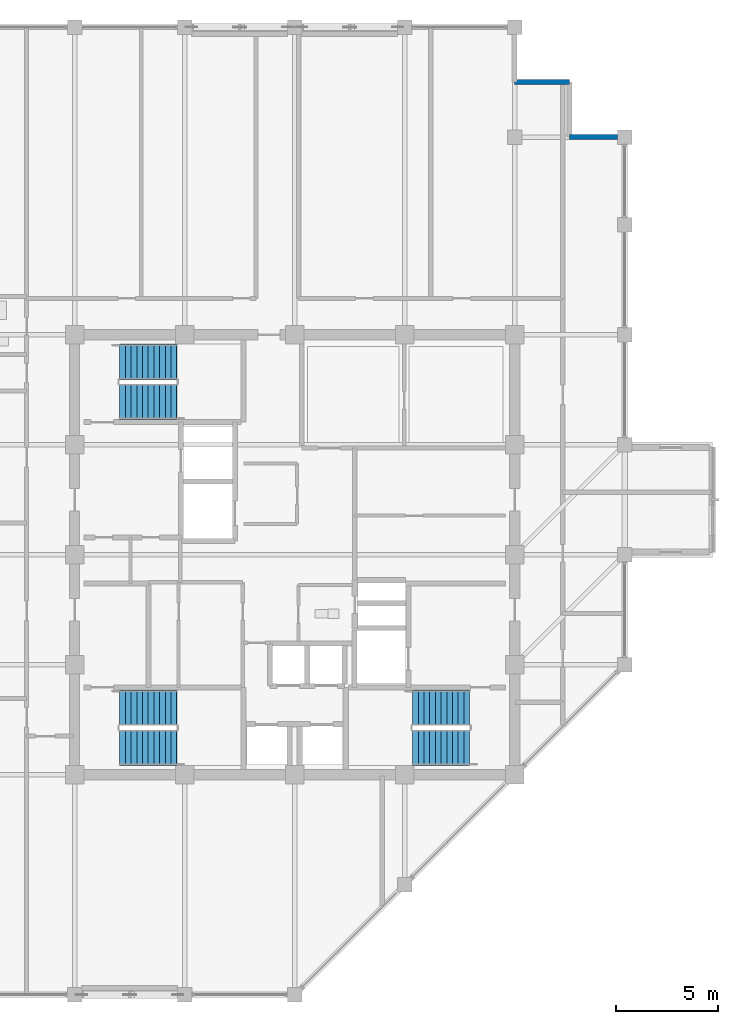
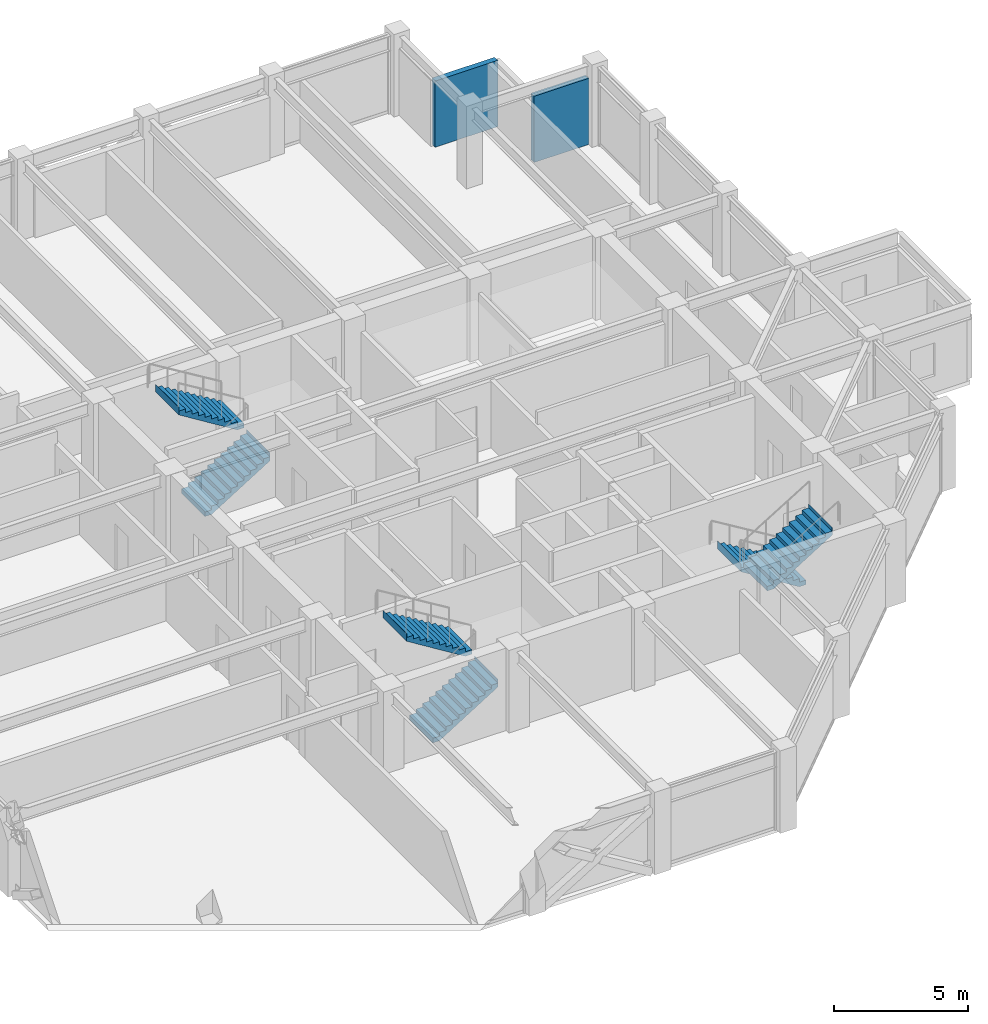
# One storey, part 27 of 30: 6 stair flights, 2 walls, 3 elements without a shape of their own.
"""IFC4 building model written with IfcOpenShell, lengths in metres."""

from ifc_helpers import new_model, si_unit, direction, frame, frame_2d, origin, place, context, subcontext, project, spatial, polyline, rectangle, outline, extrude, material, layer, layer_set, type_object, element, aggregate, save


model = new_model("IFC4")

# Units and contexts
model_context = context("Model", 3, precision=1e-05, world=origin(), true_north=direction((0.0, 1.0)))
body_context = subcontext(model_context, "Body", "Model", "MODEL_VIEW")
ifc_project = project(units=[si_unit("LENGTHUNIT", "METRE"), si_unit("AREAUNIT", "SQUARE_METRE"), si_unit("VOLUMEUNIT", "CUBIC_METRE"), si_unit("PLANEANGLEUNIT", "RADIAN"), si_unit("MASSUNIT", "GRAM", prefix="KILO")], contexts=[model_context])

# Site, building, storey
site_placement = place(None, origin())
site = spatial("IfcSite", under=ifc_project, at=site_placement, CompositionType="ELEMENT")
building_placement = place(site_placement, origin())
building = spatial("IfcBuilding", under=site, at=building_placement, Name="Surkhivell Harbour Commons", CompositionType="ELEMENT")
storey_placement = place(building_placement, frame((0.0, 0.0, 303.75)))
storey = spatial("IfcBuildingStorey", under=building, at=storey_placement, Name="L79", CompositionType="ELEMENT", Elevation=303.75)

# Walls
ifc_material_1 = material(Name="Bronze-ochre cassette precast concrete C45/55", Category="concrete")
ifc_layer = layer(ifc_material_1, 0.239990234375)
ifc_layer_set = layer_set([ifc_layer], Name="Bronze-ochre cassette precast concrete C45/55")
wall_type = type_object("IfcWallType", Name="WAL-EXT-OCH240", PredefinedType="STANDARD", material=ifc_layer_set)
wall_1_placement = place(storey_placement, frame((15.85205078125, 20.5, 0.0), z_axis=(0.0, 0.0, 1.0), x_axis=(-1.0, 0.0, 0.0)))
element("IfcWall", 1, at=wall_1_placement, inside=storey, type_object=wall_type, Name="L79 Serrated Corner Facade Wall 03", PredefinedType="STANDARD", context=body_context, shape_type="SweptSolid", body=[
    extrude(rectangle(XDim=2.35205078125, YDim=0.239990234375, at=frame_2d((1.176025390625, 0.0))), origin(), (0.0, 0.0, 1.0), 3.012939453125),
])
wall_2_placement = place(storey_placement, frame((13.5, 23.199951171875, 0.0), z_axis=(0.0, 0.0, 1.0), x_axis=(-1.0, 0.0, 0.0)))
element("IfcWall", 2, at=wall_2_placement, inside=storey, type_object=wall_type, Name="L79 Serrated Corner Facade Wall 05", PredefinedType="STANDARD", context=body_context, shape_type="SweptSolid", body=[
    extrude(rectangle(XDim=2.699951171875, YDim=0.239990234375, at=frame_2d((1.35009765625, 0.0))), origin(), (0.0, 0.0, 1.0), 3.012939453125),
])

# Stair, stair flights
ifc_material_2 = material(Name="Precast concrete C45/55", Category="concrete")
stair_type = type_object("IfcStairType", Name="STR-DL-375", PredefinedType="HALF_TURN_STAIR", material=ifc_material_2)
stair_1_placement = place(storey_placement, origin())
stair_1 = element("IfcStair", 3, at=stair_1_placement, inside=storey, type_object=stair_type, Name="L79 Core Exit Stair ST1", PredefinedType="HALF_TURN_STAIR")
stair_flight_type = type_object("IfcStairFlightType", Name="STF-DL-375", PredefinedType="STRAIGHT", material=ifc_material_2)
stair_flight_1_placement = place(storey_placement, frame((-8.590087890625, 7.514892578125, 0.0), z_axis=(0.0, 0.0, 1.0), x_axis=(1.0, 0.0, 0.0)))
stair_flight_1 = element("IfcStairFlight", 4, at=stair_flight_1_placement, type_object=stair_flight_type, Name="ST1 flight 1", NumberOfRisers=11, NumberOfTreads=10, PredefinedType="STRAIGHT", RiserHeight=0.170454545, TreadLength=0.28, context=body_context, shape_type="SweptSolid", body=[
    extrude(outline(polyline([(-0.0029296875, -0.034912109375), (-0.0029296875, 0.0), (0.0, 0.0), (0.0, 0.17041015625), (0.280029296875, 0.17041015625), (0.280029296875, 0.3408203125), (0.56005859375, 0.3408203125), (0.56005859375, 0.511474609375), (0.840087890625, 0.511474609375), (0.840087890625, 0.681884765625), (1.1201171875, 0.681884765625), (1.1201171875, 0.852294921875), (1.39990234375, 0.852294921875), (1.39990234375, 1.022705078125), (1.679931640625, 1.022705078125), (1.679931640625, 1.193115234375), (1.9599609375, 1.193115234375), (1.9599609375, 1.363525390625), (2.239990234375, 1.363525390625), (2.239990234375, 1.5341796875), (2.52001953125, 1.5341796875), (2.52001953125, 1.70458984375), (2.800048828125, 1.70458984375), (2.800048828125, 1.875), (2.802978515625, 1.875), (2.802978515625, 1.529052734375), (0.288330078125, -0.034912109375), (-0.0029296875, -0.034912109375)])), frame((0.0, 0.875, 0.0), z_axis=(0.0, -1.0, 0.0), x_axis=(1.0, 0.0, 0.0)), (0.0, 0.0, 1.0), 1.75),
])
stair_flight_2_placement = place(storey_placement, frame((-5.7900390625, 9.465087890625, 1.875), z_axis=(0.0, 0.0, 1.0), x_axis=(-1.0, 0.0, 0.0)))
stair_flight_2 = element("IfcStairFlight", 5, at=stair_flight_2_placement, type_object=stair_flight_type, Name="ST1 flight 2", NumberOfRisers=11, NumberOfTreads=10, PredefinedType="STRAIGHT", RiserHeight=0.170454545, TreadLength=0.28, context=body_context, shape_type="SweptSolid", body=[
    extrude(outline(polyline([(-0.0029296875, -0.034912109375), (-0.0029296875, 0.0), (0.0, 0.0), (0.0, 0.17041015625), (0.280029296875, 0.17041015625), (0.280029296875, 0.3408203125), (0.56005859375, 0.3408203125), (0.56005859375, 0.511474609375), (0.840087890625, 0.511474609375), (0.840087890625, 0.681884765625), (1.1201171875, 0.681884765625), (1.1201171875, 0.852294921875), (1.39990234375, 0.852294921875), (1.39990234375, 1.022705078125), (1.679931640625, 1.022705078125), (1.679931640625, 1.193115234375), (1.9599609375, 1.193115234375), (1.9599609375, 1.363525390625), (2.239990234375, 1.363525390625), (2.239990234375, 1.5341796875), (2.52001953125, 1.5341796875), (2.52001953125, 1.70458984375), (2.800048828125, 1.70458984375), (2.800048828125, 1.875), (2.802978515625, 1.875), (2.802978515625, 1.529052734375), (0.288330078125, -0.034912109375), (-0.0029296875, -0.034912109375)])), frame((0.0, 0.875, 0.0), z_axis=(0.0, -1.0, 0.0), x_axis=(1.0, 0.0, 0.0)), (0.0, 0.0, 1.0), 1.75),
])
aggregate(stair_1, [stair_flight_1, stair_flight_2])

stair_2_placement = place(storey_placement, origin())
stair_2 = element("IfcStair", 6, at=stair_2_placement, inside=storey, type_object=stair_type, Name="L79 Core Exit Stair ST2", PredefinedType="HALF_TURN_STAIR")
stair_flight_3_placement = place(storey_placement, frame((8.590087890625, -7.514892578125, 0.0), z_axis=(0.0, 0.0, 1.0), x_axis=(-1.0, 0.0, 0.0)))
stair_flight_3 = element("IfcStairFlight", 7, at=stair_flight_3_placement, type_object=stair_flight_type, Name="ST2 flight 1", NumberOfRisers=11, NumberOfTreads=10, PredefinedType="STRAIGHT", RiserHeight=0.170454545, TreadLength=0.28, context=body_context, shape_type="SweptSolid", body=[
    extrude(outline(polyline([(-0.0029296875, -0.034912109375), (-0.0029296875, 0.0), (0.0, 0.0), (0.0, 0.17041015625), (0.280029296875, 0.17041015625), (0.280029296875, 0.3408203125), (0.56005859375, 0.3408203125), (0.56005859375, 0.511474609375), (0.840087890625, 0.511474609375), (0.840087890625, 0.681884765625), (1.1201171875, 0.681884765625), (1.1201171875, 0.852294921875), (1.39990234375, 0.852294921875), (1.39990234375, 1.022705078125), (1.679931640625, 1.022705078125), (1.679931640625, 1.193115234375), (1.9599609375, 1.193115234375), (1.9599609375, 1.363525390625), (2.239990234375, 1.363525390625), (2.239990234375, 1.5341796875), (2.52001953125, 1.5341796875), (2.52001953125, 1.70458984375), (2.800048828125, 1.70458984375), (2.800048828125, 1.875), (2.802978515625, 1.875), (2.802978515625, 1.529052734375), (0.288330078125, -0.034912109375), (-0.0029296875, -0.034912109375)])), frame((0.0, 0.875, 0.0), z_axis=(0.0, -1.0, 0.0), x_axis=(1.0, 0.0, 0.0)), (0.0, 0.0, 1.0), 1.75),
])
stair_flight_4_placement = place(storey_placement, frame((5.7900390625, -9.465087890625, 1.875), z_axis=(0.0, 0.0, 1.0), x_axis=(1.0, 0.0, 0.0)))
stair_flight_4 = element("IfcStairFlight", 8, at=stair_flight_4_placement, type_object=stair_flight_type, Name="ST2 flight 2", NumberOfRisers=11, NumberOfTreads=10, PredefinedType="STRAIGHT", RiserHeight=0.170454545, TreadLength=0.28, context=body_context, shape_type="SweptSolid", body=[
    extrude(outline(polyline([(-0.0029296875, -0.034912109375), (-0.0029296875, 0.0), (0.0, 0.0), (0.0, 0.17041015625), (0.280029296875, 0.17041015625), (0.280029296875, 0.3408203125), (0.56005859375, 0.3408203125), (0.56005859375, 0.511474609375), (0.840087890625, 0.511474609375), (0.840087890625, 0.681884765625), (1.1201171875, 0.681884765625), (1.1201171875, 0.852294921875), (1.39990234375, 0.852294921875), (1.39990234375, 1.022705078125), (1.679931640625, 1.022705078125), (1.679931640625, 1.193115234375), (1.9599609375, 1.193115234375), (1.9599609375, 1.363525390625), (2.239990234375, 1.363525390625), (2.239990234375, 1.5341796875), (2.52001953125, 1.5341796875), (2.52001953125, 1.70458984375), (2.800048828125, 1.70458984375), (2.800048828125, 1.875), (2.802978515625, 1.875), (2.802978515625, 1.529052734375), (0.288330078125, -0.034912109375), (-0.0029296875, -0.034912109375)])), frame((0.0, 0.875, 0.0), z_axis=(0.0, -1.0, 0.0), x_axis=(1.0, 0.0, 0.0)), (0.0, 0.0, 1.0), 1.75),
])
aggregate(stair_2, [stair_flight_3, stair_flight_4])

stair_3_placement = place(storey_placement, origin())
stair_3 = element("IfcStair", 9, at=stair_3_placement, inside=storey, type_object=stair_type, Name="L79 Core Exit Stair ST3", PredefinedType="HALF_TURN_STAIR")
stair_flight_5_placement = place(storey_placement, frame((-8.590087890625, -9.465087890625, 0.0), z_axis=(0.0, 0.0, 1.0), x_axis=(1.0, 0.0, 0.0)))
stair_flight_5 = element("IfcStairFlight", 10, at=stair_flight_5_placement, type_object=stair_flight_type, Name="ST3 flight 1", NumberOfRisers=11, NumberOfTreads=10, PredefinedType="STRAIGHT", RiserHeight=0.170454545, TreadLength=0.28, context=body_context, shape_type="SweptSolid", body=[
    extrude(outline(polyline([(-0.0029296875, -0.034912109375), (-0.0029296875, 0.0), (0.0, 0.0), (0.0, 0.17041015625), (0.280029296875, 0.17041015625), (0.280029296875, 0.3408203125), (0.56005859375, 0.3408203125), (0.56005859375, 0.511474609375), (0.840087890625, 0.511474609375), (0.840087890625, 0.681884765625), (1.1201171875, 0.681884765625), (1.1201171875, 0.852294921875), (1.39990234375, 0.852294921875), (1.39990234375, 1.022705078125), (1.679931640625, 1.022705078125), (1.679931640625, 1.193115234375), (1.9599609375, 1.193115234375), (1.9599609375, 1.363525390625), (2.239990234375, 1.363525390625), (2.239990234375, 1.5341796875), (2.52001953125, 1.5341796875), (2.52001953125, 1.70458984375), (2.800048828125, 1.70458984375), (2.800048828125, 1.875), (2.802978515625, 1.875), (2.802978515625, 1.529052734375), (0.288330078125, -0.034912109375), (-0.0029296875, -0.034912109375)])), frame((0.0, 0.875, 0.0), z_axis=(0.0, -1.0, 0.0), x_axis=(1.0, 0.0, 0.0)), (0.0, 0.0, 1.0), 1.75),
])
stair_flight_6_placement = place(storey_placement, frame((-5.7900390625, -7.514892578125, 1.875), z_axis=(0.0, 0.0, 1.0), x_axis=(-1.0, 0.0, 0.0)))
stair_flight_6 = element("IfcStairFlight", 11, at=stair_flight_6_placement, type_object=stair_flight_type, Name="ST3 flight 2", NumberOfRisers=11, NumberOfTreads=10, PredefinedType="STRAIGHT", RiserHeight=0.170454545, TreadLength=0.28, context=body_context, shape_type="SweptSolid", body=[
    extrude(outline(polyline([(-0.0029296875, -0.034912109375), (-0.0029296875, 0.0), (0.0, 0.0), (0.0, 0.17041015625), (0.280029296875, 0.17041015625), (0.280029296875, 0.3408203125), (0.56005859375, 0.3408203125), (0.56005859375, 0.511474609375), (0.840087890625, 0.511474609375), (0.840087890625, 0.681884765625), (1.1201171875, 0.681884765625), (1.1201171875, 0.852294921875), (1.39990234375, 0.852294921875), (1.39990234375, 1.022705078125), (1.679931640625, 1.022705078125), (1.679931640625, 1.193115234375), (1.9599609375, 1.193115234375), (1.9599609375, 1.363525390625), (2.239990234375, 1.363525390625), (2.239990234375, 1.5341796875), (2.52001953125, 1.5341796875), (2.52001953125, 1.70458984375), (2.800048828125, 1.70458984375), (2.800048828125, 1.875), (2.802978515625, 1.875), (2.802978515625, 1.529052734375), (0.288330078125, -0.034912109375), (-0.0029296875, -0.034912109375)])), frame((0.0, 0.875, 0.0), z_axis=(0.0, -1.0, 0.0), x_axis=(1.0, 0.0, 0.0)), (0.0, 0.0, 1.0), 1.75),
])
aggregate(stair_3, [stair_flight_5, stair_flight_6])

save(model, "model.ifc")
